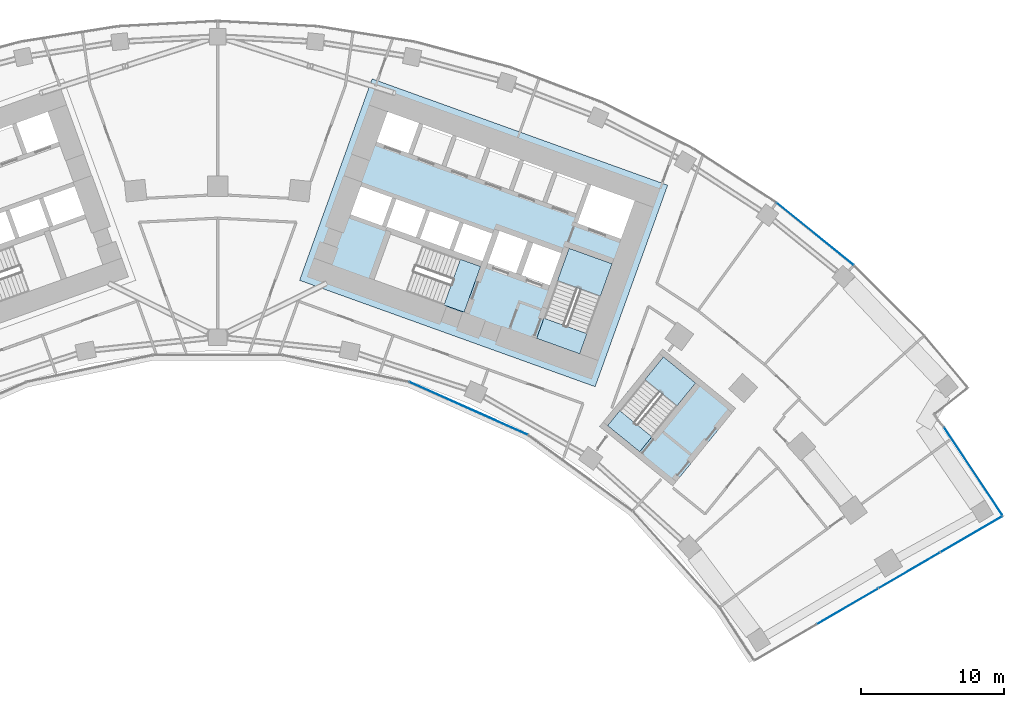
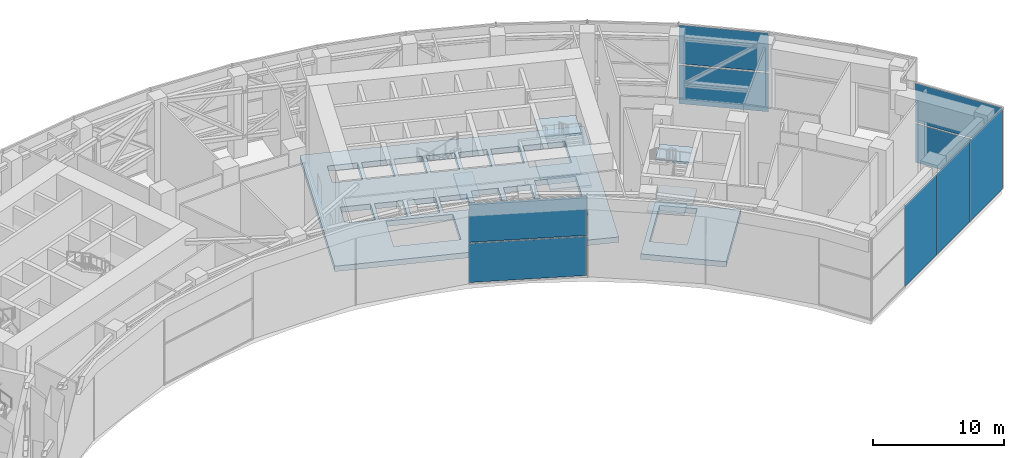
# One storey, part 17 of 30: 9 plates, 9 slabs, 7 elements without a shape of their own.
"""IFC4 building model written with IfcOpenShell, lengths in metres."""

from ifc_helpers import new_model, si_unit, direction, frame, origin, origin_2d, place, context, subcontext, project, spatial, polyline, rectangle, outline, extrude, material, layer, layer_set, type_object, element, aggregate, save


model = new_model("IFC4")

# Units and contexts
model_context = context("Model", 3, precision=1e-05, world=origin(), true_north=direction((0.0, 1.0)))
body_context = subcontext(model_context, "Body", "Model", "MODEL_VIEW")
ifc_project = project(units=[si_unit("LENGTHUNIT", "METRE"), si_unit("AREAUNIT", "SQUARE_METRE"), si_unit("VOLUMEUNIT", "CUBIC_METRE"), si_unit("PLANEANGLEUNIT", "RADIAN"), si_unit("MASSUNIT", "GRAM", prefix="KILO")], contexts=[model_context])

# Site, building, storey
site_placement = place(None, origin())
site = spatial("IfcSite", under=ifc_project, at=site_placement, CompositionType="ELEMENT")
building_placement = place(site_placement, origin())
building = spatial("IfcBuilding", under=site, at=building_placement, Name="Stone Belt Terrace Tower", CompositionType="ELEMENT")
storey_placement = place(building_placement, frame((0.0, 0.0, 136.39990234375)))
storey = spatial("IfcBuildingStorey", under=building, at=storey_placement, Name="L33", CompositionType="ELEMENT", Elevation=136.39990234375)

# Curtain wall, plates
ifc_material_1 = material(Name="Aluminium 6063-T6 anodised frame", Category="aluminium")
ifc_layer_1 = layer(ifc_material_1, 0.14990234375)
ifc_layer_set_1 = layer_set([ifc_layer_1], Name="CW-A unitised convex-face curtain wall")
curtain_wall_type_1 = type_object("IfcCurtainWallType", Name="CW-A unitised convex-face curtain wall", PredefinedType="NOTDEFINED", material=ifc_layer_set_1)
curtain_wall_1_placement = place(storey_placement, origin())
curtain_wall_1 = element("IfcCurtainWall", 1, at=curtain_wall_1_placement, inside=storey, type_object=curtain_wall_type_1, Name="CW-A convex face L33", PredefinedType="NOTDEFINED")
ifc_material_2 = material(Name="Terracotta coloured glazed ceramic", Category="masonry")
ifc_layer_2 = layer(ifc_material_2, 0.031982421875)
ifc_layer_set_2 = layer_set([ifc_layer_2], Name="CW-A ceramic louvre panel 32")
plate_type_1 = type_object("IfcPlateType", Name="CW-A ceramic louvre panel 32", PredefinedType="CURTAIN_PANEL", material=ifc_layer_set_2)
plate_1_placement = place(storey_placement, frame((41.839599609375, 51.667724609375, 0.14013671875), z_axis=(0.0, 0.0, 1.0), x_axis=(-0.777145961457, 0.62932039105, 0.0)))
plate_1 = element("IfcPlate", 2, at=plate_1_placement, type_object=plate_type_1, Name="CW-A louvre panel 3.1", PredefinedType="CURTAIN_PANEL", context=body_context, shape_type="SweptSolid", body=[
    extrude(rectangle(XDim=6.90087890625, YDim=0.031982421875, at=origin_2d()), origin(), (0.0, 0.0, 1.0), 3.590087890625),
])
plate_2_placement = place(storey_placement, frame((41.839599609375, 51.667724609375, 3.8701171875), z_axis=(0.0, 0.0, 1.0), x_axis=(-0.777145961457, 0.62932039105, 0.0)))
plate_2 = element("IfcPlate", 3, at=plate_2_placement, type_object=plate_type_1, Name="CW-A louvre panel 3.2", PredefinedType="CURTAIN_PANEL", context=body_context, shape_type="SweptSolid", body=[
    extrude(rectangle(XDim=6.90087890625, YDim=0.031982421875, at=origin_2d()), origin(), (0.0, 0.0, 1.0), 3.590087890625),
])
aggregate(curtain_wall_1, [plate_1, plate_2])

ifc_layer_3 = layer(ifc_material_1, 0.14990234375)
ifc_layer_set_3 = layer_set([ifc_layer_3], Name="CW-B unitised concave-face curtain wall")
curtain_wall_type_2 = type_object("IfcCurtainWallType", Name="CW-B unitised concave-face curtain wall", PredefinedType="NOTDEFINED", material=ifc_layer_set_3)
curtain_wall_2_placement = place(storey_placement, origin())
curtain_wall_2 = element("IfcCurtainWall", 4, at=curtain_wall_2_placement, inside=storey, type_object=curtain_wall_type_2, Name="CW-B concave face L33", PredefinedType="NOTDEFINED")
ifc_layer_4 = layer(ifc_material_2, 0.030029296875)
ifc_layer_set_4 = layer_set([ifc_layer_4], Name="CW-B ceramic louvre panel 30")
plate_type_2 = type_object("IfcPlateType", Name="CW-B ceramic louvre panel 30", PredefinedType="CURTAIN_PANEL", material=ifc_layer_set_4)
plate_3_placement = place(storey_placement, frame((17.565673828125, 39.453125, 0.1201171875), z_axis=(0.0, 0.0, 1.0), x_axis=(0.913545457643, -0.406736643076, 0.0)))
plate_3 = element("IfcPlate", 5, at=plate_3_placement, type_object=plate_type_2, Name="CW-B louvre panel 7.1", PredefinedType="CURTAIN_PANEL", context=body_context, shape_type="SweptSolid", body=[
    extrude(rectangle(XDim=9.0126953125, YDim=0.030029296875, at=origin_2d()), origin(), (0.0, 0.0, 1.0), 3.6201171875),
])
plate_4_placement = place(storey_placement, frame((17.565673828125, 39.453125, 3.860107421875), z_axis=(0.0, 0.0, 1.0), x_axis=(0.913545457643, -0.406736643076, 0.0)))
plate_4 = element("IfcPlate", 6, at=plate_4_placement, type_object=plate_type_2, Name="CW-B louvre panel 7.2", PredefinedType="CURTAIN_PANEL", context=body_context, shape_type="SweptSolid", body=[
    extrude(rectangle(XDim=9.0126953125, YDim=0.030029296875, at=origin_2d()), origin(), (0.0, 0.0, 1.0), 3.6201171875),
])
aggregate(curtain_wall_2, [plate_3, plate_4])

ifc_layer_5 = layer(ifc_material_1, 0.14990234375)
ifc_layer_set_5 = layer_set([ifc_layer_5], Name="CW-C stick curtain wall, horn ends and notches")
curtain_wall_type_3 = type_object("IfcCurtainWallType", Name="CW-C stick curtain wall, horn ends and notches", PredefinedType="NOTDEFINED", material=ifc_layer_set_5)
curtain_wall_3_placement = place(storey_placement, origin())
curtain_wall_3 = element("IfcCurtainWall", 7, at=curtain_wall_3_placement, inside=storey, type_object=curtain_wall_type_3, Name="CW-C end face L33", PredefinedType="NOTDEFINED")
ifc_layer_6 = layer(ifc_material_2, 0.028076171875)
ifc_layer_set_6 = layer_set([ifc_layer_6], Name="CW-C ceramic louvre panel 28")
plate_type_3 = type_object("IfcPlateType", Name="CW-C ceramic louvre panel 28", PredefinedType="CURTAIN_PANEL", material=ifc_layer_set_6)
plate_5_placement = place(storey_placement, frame((44.114013671875, 25.59228515625, 0.0), z_axis=(0.0, 0.0, 1.0), x_axis=(0.864239322284, 0.503080901861, 0.0)))
plate_5 = element("IfcPlate", 8, at=plate_5_placement, type_object=plate_type_3, Name="CW-C louvre panel 2.1", PredefinedType="CURTAIN_PANEL", context=body_context, shape_type="SweptSolid", body=[
    extrude(rectangle(XDim=4.93994140625, YDim=0.028076171875, at=origin_2d()), origin(), (0.0, 0.0, 1.0), 7.47998046875),
])
plate_6_placement = place(storey_placement, frame((48.43505859375, 28.107666015625, 0.0), z_axis=(0.0, 0.0, 1.0), x_axis=(0.864239322284, 0.503080901861, 0.0)))
plate_6 = element("IfcPlate", 9, at=plate_6_placement, type_object=plate_type_3, Name="CW-C louvre panel 3.1", PredefinedType="CURTAIN_PANEL", context=body_context, shape_type="SweptSolid", body=[
    extrude(rectangle(XDim=4.93994140625, YDim=0.028076171875, at=origin_2d()), origin(), (0.0, 0.0, 1.0), 7.47998046875),
])
plate_7_placement = place(storey_placement, frame((52.771240234375, 30.6318359375, 0.0), z_axis=(0.0, 0.0, 1.0), x_axis=(0.864239322284, 0.503080901861, 0.0)))
plate_7 = element("IfcPlate", 10, at=plate_7_placement, type_object=plate_type_3, Name="CW-C louvre panel 4.1", PredefinedType="CURTAIN_PANEL", context=body_context, shape_type="SweptSolid", body=[
    extrude(rectangle(XDim=4.974365234375, YDim=0.028076171875, at=origin_2d()), origin(), (0.0, 0.0, 1.0), 7.47998046875),
])
aggregate(curtain_wall_3, [plate_5, plate_6, plate_7])

curtain_wall_4_placement = place(storey_placement, origin())
curtain_wall_4 = element("IfcCurtainWall", 11, at=curtain_wall_4_placement, inside=storey, type_object=curtain_wall_type_3, Name="CW-C notch face L33", PredefinedType="NOTDEFINED")
plate_8_placement = place(storey_placement, frame((52.9111328125, 35.050537109375, 0.1201171875), z_axis=(0.0, 0.0, 1.0), x_axis=(-0.5524842973, 0.833523305755, 0.0)))
plate_8 = element("IfcPlate", 12, at=plate_8_placement, type_object=plate_type_3, Name="CW-C louvre panel 1.1", PredefinedType="CURTAIN_PANEL", context=body_context, shape_type="SweptSolid", body=[
    extrude(rectangle(XDim=7.359375, YDim=0.028076171875, at=origin_2d()), origin(), (0.0, 0.0, 1.0), 3.6201171875),
])
plate_9_placement = place(storey_placement, frame((52.9111328125, 35.050537109375, 3.860107421875), z_axis=(0.0, 0.0, 1.0), x_axis=(-0.5524842973, 0.833523305755, 0.0)))
plate_9 = element("IfcPlate", 13, at=plate_9_placement, type_object=plate_type_3, Name="CW-C louvre panel 1.2", PredefinedType="CURTAIN_PANEL", context=body_context, shape_type="SweptSolid", body=[
    extrude(rectangle(XDim=7.359375, YDim=0.028076171875, at=origin_2d()), origin(), (0.0, 0.0, 1.0), 3.6201171875),
])
aggregate(curtain_wall_4, [plate_8, plate_9])

# Slabs
ifc_material_3 = material(Name="Concrete B40", Category="concrete")
ifc_layer_7 = layer(ifc_material_3, 0.5)
ifc_layer_set_7 = layer_set([ifc_layer_7], Name="Core floor slab 500")
slab_type_1 = type_object("IfcSlabType", Name="Core floor slab 500", PredefinedType="FLOOR", material=ifc_layer_set_7)
slab_1_placement = place(storey_placement, frame((0.0, 0.0, -0.5)))
element("IfcSlab", 14, at=slab_1_placement, inside=storey, type_object=slab_type_1, Name="Core B floor L33", PredefinedType="FLOOR", context=body_context, shape_type="SweptSolid", body=[
    extrude(outline(polyline([(26.43505859375, 40.968994140625), (31.513916015625, 55.0830078125), (10.81396484375, 62.531982421875), (5.735107421875, 48.4189453125), (26.43505859375, 40.968994140625)]), holes=[polyline([(12.10595703125, 51.652099609375), (16.998046875, 49.89208984375), (15.846923828125, 46.69189453125), (10.955078125, 48.452880859375), (12.10595703125, 51.652099609375)]), polyline([(19.239990234375, 51.68896484375), (18.5458984375, 49.760009765625), (16.52294921875, 50.488037109375), (17.217041015625, 52.4169921875), (19.239990234375, 51.68896484375)]), polyline([(16.239990234375, 50.589111328125), (14.169921875, 51.333984375), (14.864013671875, 53.262939453125), (16.93408203125, 52.51806640625), (16.239990234375, 50.589111328125)]), polyline([(12.511962890625, 54.110107421875), (14.58203125, 53.364990234375), (13.887939453125, 51.43603515625), (11.864990234375, 52.1640625), (11.847900390625, 52.116943359375), (11.801025390625, 52.134033203125), (12.511962890625, 54.110107421875)]), polyline([(9.30810546875, 53.031005859375), (10.01904296875, 55.007080078125), (12.22998046875, 54.2109375), (11.51904296875, 52.235107421875), (9.30810546875, 53.031005859375)]), polyline([(16.743896484375, 58.485107421875), (18.81396484375, 57.739990234375), (18.052001953125, 55.623046875), (15.98193359375, 56.367919921875), (16.743896484375, 58.485107421875)]), polyline([(14.39111328125, 59.33203125), (16.4609375, 58.5869140625), (15.699951171875, 56.469970703125), (13.6298828125, 57.215087890625), (14.39111328125, 59.33203125)]), polyline([(11.89794921875, 60.22900390625), (14.10888671875, 59.43408203125), (13.346923828125, 57.31591796875), (11.135986328125, 58.112060546875), (11.89794921875, 60.22900390625)]), polyline([(25.85888671875, 44.68408203125), (22.847900390625, 45.76806640625), (24.60791015625, 50.659912109375), (27.618896484375, 49.575927734375), (25.85888671875, 44.68408203125)]), polyline([(21.27392578125, 48.778076171875), (22.0869140625, 51.035888671875), (24.06298828125, 50.324951171875), (23.25, 48.06689453125), (21.27392578125, 48.778076171875)]), polyline([(18.922119140625, 49.6240234375), (19.735107421875, 51.883056640625), (21.7109375, 51.1708984375), (20.89794921875, 48.9130859375), (18.922119140625, 49.6240234375)]), polyline([(29.2109375, 53.9990234375), (28.24609375, 51.31689453125), (25.18798828125, 52.41796875), (26.153076171875, 55.09912109375), (29.2109375, 53.9990234375)]), polyline([(23.801025390625, 55.946044921875), (25.87109375, 55.200927734375), (25.10888671875, 53.083984375), (23.0390625, 53.8291015625), (23.801025390625, 55.946044921875)]), polyline([(21.447998046875, 56.7919921875), (23.51806640625, 56.047119140625), (22.756103515625, 53.929931640625), (20.68603515625, 54.675048828125), (21.447998046875, 56.7919921875)]), polyline([(19.095947265625, 57.638916015625), (21.166015625, 56.89404296875), (20.404052734375, 54.777099609375), (18.333984375, 55.52197265625), (19.095947265625, 57.638916015625)])]), origin(), (0.0, 0.0, 1.0), 0.5),
])
slab_2_placement = place(storey_placement, frame((0.0, 0.0, -0.5)))
element("IfcSlab", 15, at=slab_2_placement, inside=storey, type_object=slab_type_1, Name="Exit stair ST3B floor L33", PredefinedType="FLOOR", context=body_context, shape_type="SweptSolid", body=[
    extrude(outline(polyline([(26.741943359375, 38.18408203125), (31.866943359375, 34.02392578125), (36.278076171875, 39.458984375), (31.154052734375, 43.618896484375), (26.741943359375, 38.18408203125)]), holes=[polyline([(30.407958984375, 37.462890625), (28.156005859375, 39.291015625), (31.2119140625, 43.055908203125), (33.464111328125, 41.22802734375), (30.407958984375, 37.462890625)])]), origin(), (0.0, 0.0, 1.0), 0.5),
])

# Stair, slabs
stair_type = type_object("IfcStairType", Name="Exit stair 1500", PredefinedType="HALF_TURN_STAIR", material=ifc_material_3)
stair_1_placement = place(storey_placement, origin())
stair_1 = element("IfcStair", 16, at=stair_1_placement, inside=storey, type_object=stair_type, Name="L33 Exit stair 1 core B", PredefinedType="HALF_TURN_STAIR")
ifc_layer_8 = layer(ifc_material_3, 0.199951171875)
ifc_layer_set_8 = layer_set([ifc_layer_8], Name="Stair landing 200")
slab_type_2 = type_object("IfcSlabType", Name="Stair landing 200", PredefinedType="LANDING", material=ifc_layer_set_8)
slab_3_placement = place(storey_placement, frame((0.0, 0.0, 1.7001953125)))
slab_3 = element("IfcSlab", 17, at=slab_3_placement, type_object=slab_type_2, Name="ST1B landing 1", PredefinedType="LANDING", context=body_context, shape_type="SweptSolid", body=[
    extrude(outline(polyline([(26.806396484375, 47.3173828125), (27.619384765625, 49.576171875), (24.6083984375, 50.659912109375), (23.79541015625, 48.40087890625), (26.806396484375, 47.3173828125)])), origin(), (0.0, 0.0, 1.0), 0.199951171875),
])
slab_4_placement = place(storey_placement, frame((0.0, 0.0, 3.60009765625)))
slab_4 = element("IfcSlab", 18, at=slab_4_placement, type_object=slab_type_2, Name="ST1B landing 2", PredefinedType="LANDING", context=body_context, shape_type="SweptSolid", body=[
    extrude(outline(polyline([(25.3505859375, 43.27197265625), (25.85888671875, 44.684326171875), (22.847900390625, 45.767822265625), (22.339599609375, 44.355712890625), (25.3505859375, 43.27197265625)])), origin(), (0.0, 0.0, 1.0), 0.199951171875),
])
slab_5_placement = place(storey_placement, frame((0.0, 0.0, 5.5)))
slab_5 = element("IfcSlab", 19, at=slab_5_placement, type_object=slab_type_2, Name="ST1B landing 3", PredefinedType="LANDING", context=body_context, shape_type="SweptSolid", body=[
    extrude(outline(polyline([(26.806396484375, 47.3173828125), (27.619384765625, 49.576171875), (24.6083984375, 50.659912109375), (23.79541015625, 48.40087890625), (26.806396484375, 47.3173828125)])), origin(), (0.0, 0.0, 1.0), 0.2001953125),
])
aggregate(stair_1, [slab_3, slab_4, slab_5])

# Stair, slab
stair_2_placement = place(storey_placement, origin())
stair_2 = element("IfcStair", 20, at=stair_2_placement, inside=storey, type_object=stair_type, Name="L33 Exit stair 2 core B", PredefinedType="HALF_TURN_STAIR")
slab_6_placement = place(storey_placement, frame((0.0, 0.0, 3.60009765625)))
slab_6 = element("IfcSlab", 21, at=slab_6_placement, type_object=slab_type_2, Name="ST2B landing 2", PredefinedType="LANDING", context=body_context, shape_type="SweptSolid", body=[
    extrude(outline(polyline([(18.41015625, 49.38330078125), (16.997802734375, 49.8916015625), (15.8466796875, 46.6923828125), (17.2587890625, 46.184326171875), (18.41015625, 49.38330078125)])), origin(), (0.0, 0.0, 1.0), 0.199951171875),
])
aggregate(stair_2, [slab_6])

# Stair, slabs
stair_3_placement = place(storey_placement, origin())
stair_3 = element("IfcStair", 22, at=stair_3_placement, inside=storey, type_object=stair_type, Name="L33 Exit stair 3B", PredefinedType="HALF_TURN_STAIR")
slab_7_placement = place(storey_placement, frame((0.0, 0.0, 1.7001953125)))
slab_7 = element("IfcSlab", 23, at=slab_7_placement, type_object=slab_type_2, Name="ST3B landing 1", PredefinedType="LANDING", context=body_context, shape_type="SweptSolid", body=[
    extrude(outline(polyline([(32.17138671875, 39.635986328125), (33.4638671875, 41.228271484375), (31.21240234375, 43.055908203125), (29.919921875, 41.463623046875), (32.17138671875, 39.635986328125)])), origin(), (0.0, 0.0, 1.0), 0.199951171875),
])
slab_8_placement = place(storey_placement, frame((0.0, 0.0, 3.60009765625)))
slab_8 = element("IfcSlab", 24, at=slab_8_placement, type_object=slab_type_2, Name="ST3B landing 2", PredefinedType="LANDING", context=body_context, shape_type="SweptSolid", body=[
    extrude(outline(polyline([(29.556640625, 36.41455078125), (30.407958984375, 37.46337890625), (28.15625, 39.290771484375), (27.304931640625, 38.2421875), (29.556640625, 36.41455078125)])), origin(), (0.0, 0.0, 1.0), 0.199951171875),
])
slab_9_placement = place(storey_placement, frame((0.0, 0.0, 5.5)))
slab_9 = element("IfcSlab", 25, at=slab_9_placement, type_object=slab_type_2, Name="ST3B landing 3", PredefinedType="LANDING", context=body_context, shape_type="SweptSolid", body=[
    extrude(outline(polyline([(32.17138671875, 39.635986328125), (33.4638671875, 41.228271484375), (31.21240234375, 43.055908203125), (29.919921875, 41.463623046875), (32.17138671875, 39.635986328125)])), origin(), (0.0, 0.0, 1.0), 0.2001953125),
])
aggregate(stair_3, [slab_7, slab_8, slab_9])

save(model, "model.ifc")
